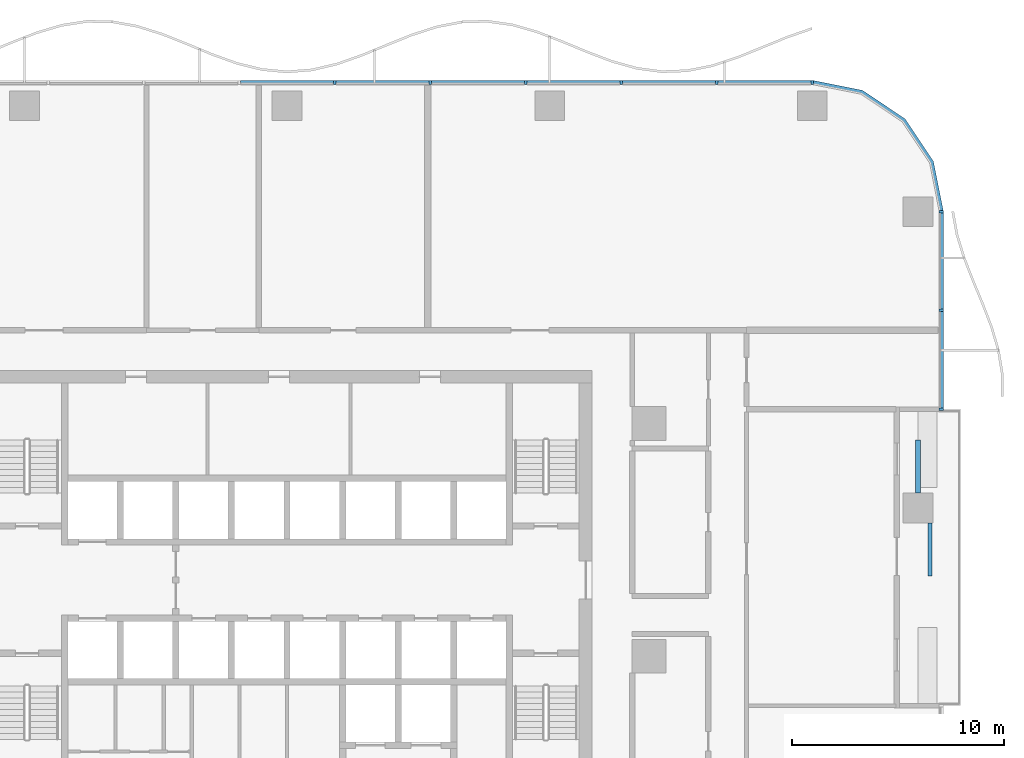
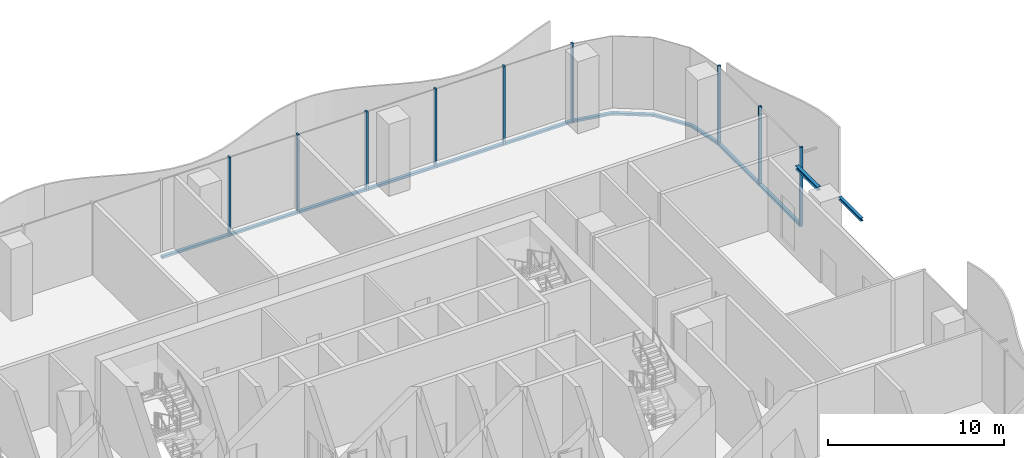
# One storey, part 5 of 21: 18 members, 2 beams, 3 elements without a shape of their own.
"""IFC4 building model written with IfcOpenShell, lengths in metres."""

from ifc_helpers import new_model, si_unit, direction, frame, origin, origin_2d, place, context, subcontext, project, spatial, polyline, rectangle, i_section, outline, extrude, material, material_profile, profile_set, type_object, element, aggregate, save


model = new_model("IFC4")

# Units and contexts
model_context = context("Model", 3, precision=1e-05, world=origin(), true_north=direction((0.0, 1.0)))
body_context = subcontext(model_context, "Body", "Model", "MODEL_VIEW")
ifc_project = project(units=[si_unit("LENGTHUNIT", "METRE"), si_unit("AREAUNIT", "SQUARE_METRE"), si_unit("VOLUMEUNIT", "CUBIC_METRE"), si_unit("PLANEANGLEUNIT", "RADIAN"), si_unit("MASSUNIT", "GRAM", prefix="KILO")], contexts=[model_context])

# Site, building, storey
site_placement = place(None, origin())
site = spatial("IfcSite", under=ifc_project, at=site_placement, CompositionType="ELEMENT")
building_placement = place(site_placement, origin())
building = spatial("IfcBuilding", under=site, at=building_placement, Name="Mopane Tessera Tower", CompositionType="ELEMENT")
storey_placement = place(building_placement, frame((0.0, 0.0, 20.0)))
storey = spatial("IfcBuildingStorey", under=building, at=storey_placement, Name="L03", CompositionType="ELEMENT", Elevation=20.0)

# Curtain wall, members
ifc_material_1 = material(Name="Aluminium frame", Category="aluminium")
curtain_wall_type = type_object("IfcCurtainWallType", Name="Podium unitised wall", PredefinedType="NOTDEFINED", material=ifc_material_1)
curtain_wall_1_placement = place(storey_placement, origin())
curtain_wall_1 = element("IfcCurtainWall", 1, at=curtain_wall_1_placement, inside=storey, type_object=curtain_wall_type, Name="e:cw:L03:E:7", PredefinedType="NOTDEFINED")
ifc_material_2 = material(Name="Aluminium frame", Category="aluminium")
ifc_material_profile_1 = material_profile(ifc_material_2, rectangle(XDim=0.125, YDim=0.199951171875, at=origin_2d()))
ifc_profile_set_1 = profile_set([ifc_material_profile_1], Name="Aluminium frame")
member_type_1 = type_object("IfcMemberType", Name="Aluminium mullion 125 x 200", PredefinedType="MULLION", material=ifc_profile_set_1)
member_1_placement = place(storey_placement, frame((30.89990234375, 11.666748046875, -0.5), z_axis=(0.0, 0.0, 1.0), x_axis=(0.0, 1.0, 0.0)))
member_1 = element("IfcMember", 2, at=member_1_placement, type_object=member_type_1, Name="e:cw:L03:E:7:mu7", PredefinedType="MULLION", context=body_context, shape_type="SweptSolid", body=[
    extrude(rectangle(XDim=0.125, YDim=0.199951171875, at=origin_2d()), origin(), (0.0, 0.0, 1.0), 5.5),
])
member_2_placement = place(storey_placement, frame((30.89990234375, 16.333251953125, -0.5), z_axis=(0.0, 0.0, 1.0), x_axis=(0.0, 1.0, 0.0)))
member_2 = element("IfcMember", 3, at=member_2_placement, type_object=member_type_1, Name="e:cw:L03:E:7:mu8", PredefinedType="MULLION", context=body_context, shape_type="SweptSolid", body=[
    extrude(rectangle(XDim=0.125, YDim=0.199951171875, at=origin_2d()), origin(), (0.0, 0.0, 1.0), 5.5),
])
member_3_placement = place(storey_placement, frame((30.89990234375, 21.0, -0.5), z_axis=(0.0, 0.0, 1.0), x_axis=(0.0, 1.0, 0.0)))
member_3 = element("IfcMember", 4, at=member_3_placement, type_object=member_type_1, Name="e:cw:L03:E:7:mu9", PredefinedType="MULLION", context=body_context, shape_type="SweptSolid", body=[
    extrude(rectangle(XDim=0.125, YDim=0.199951171875, at=origin_2d()), origin(), (0.0, 0.0, 1.0), 5.5),
])

curtain_wall_2_placement = place(storey_placement, origin())
curtain_wall_2 = element("IfcCurtainWall", 5, at=curtain_wall_2_placement, inside=storey, type_object=curtain_wall_type, Name="e:cw:L03:N:0", PredefinedType="NOTDEFINED")
member_4_placement = place(storey_placement, frame((24.800048828125, 27.10009765625, -0.5), z_axis=(0.0, 0.0, 1.0), x_axis=(-1.0, 0.0, 0.0)))
member_4 = element("IfcMember", 6, at=member_4_placement, type_object=member_type_1, Name="e:cw:L03:N:0:mu0", PredefinedType="MULLION", context=body_context, shape_type="SweptSolid", body=[
    extrude(rectangle(XDim=0.125, YDim=0.199951171875, at=origin_2d()), origin(), (0.0, 0.0, 1.0), 5.5),
])
member_5_placement = place(storey_placement, frame((20.291015625, 27.10009765625, -0.5), z_axis=(0.0, 0.0, 1.0), x_axis=(-1.0, 0.0, 0.0)))
member_5 = element("IfcMember", 7, at=member_5_placement, type_object=member_type_1, Name="e:cw:L03:N:0:mu1", PredefinedType="MULLION", context=body_context, shape_type="SweptSolid", body=[
    extrude(rectangle(XDim=0.125, YDim=0.199951171875, at=origin_2d()), origin(), (0.0, 0.0, 1.0), 5.5),
])
member_6_placement = place(storey_placement, frame((15.78173828125, 27.10009765625, -0.5), z_axis=(0.0, 0.0, 1.0), x_axis=(-1.0, 0.0, 0.0)))
member_6 = element("IfcMember", 8, at=member_6_placement, type_object=member_type_1, Name="e:cw:L03:N:0:mu2", PredefinedType="MULLION", context=body_context, shape_type="SweptSolid", body=[
    extrude(rectangle(XDim=0.125, YDim=0.199951171875, at=origin_2d()), origin(), (0.0, 0.0, 1.0), 5.5),
])
member_7_placement = place(storey_placement, frame((11.272705078125, 27.10009765625, -0.5), z_axis=(0.0, 0.0, 1.0), x_axis=(-1.0, 0.0, 0.0)))
member_7 = element("IfcMember", 9, at=member_7_placement, type_object=member_type_1, Name="e:cw:L03:N:0:mu3", PredefinedType="MULLION", context=body_context, shape_type="SweptSolid", body=[
    extrude(rectangle(XDim=0.125, YDim=0.199951171875, at=origin_2d()), origin(), (0.0, 0.0, 1.0), 5.5),
])
member_8_placement = place(storey_placement, frame((6.763671875, 27.10009765625, -0.5), z_axis=(0.0, 0.0, 1.0), x_axis=(-1.0, 0.0, 0.0)))
member_8 = element("IfcMember", 10, at=member_8_placement, type_object=member_type_1, Name="e:cw:L03:N:0:mu4", PredefinedType="MULLION", context=body_context, shape_type="SweptSolid", body=[
    extrude(rectangle(XDim=0.125, YDim=0.199951171875, at=origin_2d()), origin(), (0.0, 0.0, 1.0), 5.5),
])
member_9_placement = place(storey_placement, frame((2.254638671875, 27.10009765625, -0.5), z_axis=(0.0, 0.0, 1.0), x_axis=(-1.0, 0.0, 0.0)))
member_9 = element("IfcMember", 11, at=member_9_placement, type_object=member_type_1, Name="e:cw:L03:N:0:mu5", PredefinedType="MULLION", context=body_context, shape_type="SweptSolid", body=[
    extrude(rectangle(XDim=0.125, YDim=0.199951171875, at=origin_2d()), origin(), (0.0, 0.0, 1.0), 5.5),
])

# Member
ifc_material_3 = material(Name="Aluminium frame", Category="aluminium")
ifc_material_profile_2 = material_profile(ifc_material_3, rectangle(XDim=0.199951171875, YDim=0.159912109375, at=origin_2d()))
ifc_profile_set_2 = profile_set([ifc_material_profile_2], Name="Aluminium frame")
member_type_2 = type_object("IfcMemberType", Name="Aluminium transom 200 x 160", PredefinedType="USERDEFINED", material=ifc_profile_set_2)
member_10_placement = place(storey_placement, frame((30.89990234375, 11.729248046875, -0.419921875), z_axis=(0.0, 1.0, 0.0), x_axis=(-1.0, 0.0, 0.0)))
member_10 = element("IfcMember", 12, at=member_10_placement, type_object=member_type_2, Name="e:cw:L03:E:7:tr7", ObjectType="TRANSOM", PredefinedType="USERDEFINED", context=body_context, shape_type="SweptSolid", body=[
    extrude(rectangle(XDim=0.199951171875, YDim=0.159912109375, at=origin_2d()), origin(), (0.0, 0.0, 1.0), 4.54150390625),
])

member_11_placement = place(storey_placement, frame((30.89990234375, 16.395751953125, -0.419921875), z_axis=(0.0, 1.0, 0.0), x_axis=(-1.0, 0.0, 0.0)))
member_11 = element("IfcMember", 13, at=member_11_placement, type_object=member_type_2, Name="e:cw:L03:E:7:tr8", ObjectType="TRANSOM", PredefinedType="USERDEFINED", context=body_context, shape_type="SweptSolid", body=[
    extrude(rectangle(XDim=0.199951171875, YDim=0.159912109375, at=origin_2d()), origin(), (0.0, 0.0, 1.0), 4.541748046875),
])

aggregate(curtain_wall_1, [member_1, member_2, member_3, member_10, member_11])

# Curtain wall, member
curtain_wall_3_placement = place(storey_placement, origin())
curtain_wall_3 = element("IfcCurtainWall", 14, at=curtain_wall_3_placement, inside=storey, type_object=curtain_wall_type, Name="e:cw:L03:CE", PredefinedType="NOTDEFINED")
member_12_placement = place(storey_placement, frame((0.0, 0.0, -0.5)))
member_12 = element("IfcMember", 15, at=member_12_placement, type_object=member_type_2, Name="e:cw:L03:CE:tr", ObjectType="TRANSOM", PredefinedType="USERDEFINED", context=body_context, shape_type="SweptSolid", body=[
    extrude(outline(polyline([(30.800048828125, 21.0), (30.34326171875, 23.296142578125), (29.042724609375, 25.24267578125), (27.09619140625, 26.543212890625), (24.800048828125, 27.0), (24.800048828125, 27.199951171875), (27.172607421875, 26.72802734375), (29.18408203125, 25.384033203125), (30.528076171875, 23.37255859375), (31.0, 21.0), (30.800048828125, 21.0)])), origin(), (0.0, 0.0, 1.0), 0.159912109375),
])
aggregate(curtain_wall_3, [member_12])

# Member
member_13_placement = place(storey_placement, frame((24.737548828125, 27.10009765625, -0.419921875), z_axis=(-1.0, 0.0, 0.0), x_axis=(0.0, -1.0, 0.0)))
member_13 = element("IfcMember", 16, at=member_13_placement, type_object=member_type_2, Name="e:cw:L03:N:0:tr0", ObjectType="TRANSOM", PredefinedType="USERDEFINED", context=body_context, shape_type="SweptSolid", body=[
    extrude(rectangle(XDim=0.199951171875, YDim=0.159912109375, at=origin_2d()), origin(), (0.0, 0.0, 1.0), 4.384033203125),
])

member_14_placement = place(storey_placement, frame((20.228515625, 27.10009765625, -0.419921875), z_axis=(-1.0, 0.0, 0.0), x_axis=(0.0, -1.0, 0.0)))
member_14 = element("IfcMember", 17, at=member_14_placement, type_object=member_type_2, Name="e:cw:L03:N:0:tr1", ObjectType="TRANSOM", PredefinedType="USERDEFINED", context=body_context, shape_type="SweptSolid", body=[
    extrude(rectangle(XDim=0.199951171875, YDim=0.159912109375, at=origin_2d()), origin(), (0.0, 0.0, 1.0), 4.38427734375),
])

member_15_placement = place(storey_placement, frame((15.71923828125, 27.10009765625, -0.419921875), z_axis=(-1.0, 0.0, 0.0), x_axis=(0.0, -1.0, 0.0)))
member_15 = element("IfcMember", 18, at=member_15_placement, type_object=member_type_2, Name="e:cw:L03:N:0:tr2", ObjectType="TRANSOM", PredefinedType="USERDEFINED", context=body_context, shape_type="SweptSolid", body=[
    extrude(rectangle(XDim=0.199951171875, YDim=0.159912109375, at=origin_2d()), origin(), (0.0, 0.0, 1.0), 4.384033203125),
])

member_16_placement = place(storey_placement, frame((11.210205078125, 27.10009765625, -0.419921875), z_axis=(-1.0, 0.0, 0.0), x_axis=(0.0, -1.0, 0.0)))
member_16 = element("IfcMember", 19, at=member_16_placement, type_object=member_type_2, Name="e:cw:L03:N:0:tr3", ObjectType="TRANSOM", PredefinedType="USERDEFINED", context=body_context, shape_type="SweptSolid", body=[
    extrude(rectangle(XDim=0.199951171875, YDim=0.159912109375, at=origin_2d()), origin(), (0.0, 0.0, 1.0), 4.384033203125),
])

member_17_placement = place(storey_placement, frame((6.701171875, 27.10009765625, -0.419921875), z_axis=(-1.0, 0.0, 0.0), x_axis=(0.0, -1.0, 0.0)))
member_17 = element("IfcMember", 20, at=member_17_placement, type_object=member_type_2, Name="e:cw:L03:N:0:tr4", ObjectType="TRANSOM", PredefinedType="USERDEFINED", context=body_context, shape_type="SweptSolid", body=[
    extrude(rectangle(XDim=0.199951171875, YDim=0.159912109375, at=origin_2d()), origin(), (0.0, 0.0, 1.0), 4.384033203125),
])

member_18_placement = place(storey_placement, frame((2.192138671875, 27.10009765625, -0.419921875), z_axis=(-1.0, 0.0, 0.0), x_axis=(0.0, -1.0, 0.0)))
member_18 = element("IfcMember", 21, at=member_18_placement, type_object=member_type_2, Name="e:cw:L03:N:0:tr5", ObjectType="TRANSOM", PredefinedType="USERDEFINED", context=body_context, shape_type="SweptSolid", body=[
    extrude(rectangle(XDim=0.199951171875, YDim=0.159912109375, at=origin_2d()), origin(), (0.0, 0.0, 1.0), 4.38427734375),
])

aggregate(curtain_wall_2, [member_4, member_5, member_6, member_7, member_8, member_9, member_13, member_14, member_15, member_16, member_17, member_18])

# Beams
ifc_material_4 = material(Name="Structural steel S460", Category="steel")
ifc_material_profile_3 = material_profile(ifc_material_4, i_section(OverallWidth=0.239990234375, OverallDepth=0.239990234375, WebThickness=0.010009765625, FlangeThickness=0.01708984375, FilletRadius=0.02099609375, at=origin_2d()))
ifc_profile_set_3 = profile_set([ifc_material_profile_3], Name="Structural steel S460")
beam_type_1 = type_object("IfcBeamType", Name="Terrace spandrel beam HE 240 B", PredefinedType="SPANDREL", material=ifc_profile_set_3)
beam_1_placement = place(storey_placement, frame((29.800048828125, 7.702880859375, 4.8798828125), z_axis=(0.0, 1.0, 0.0), x_axis=(-1.0, 0.0, 0.0)))
element("IfcBeam", 22, at=beam_1_placement, inside=storey, type_object=beam_type_1, Name="Terrace spandrel beam N2 L04", PredefinedType="SPANDREL", context=body_context, shape_type="SweptSolid", body=[
    extrude(i_section(OverallWidth=0.239990234375, OverallDepth=0.239990234375, WebThickness=0.010009765625, FlangeThickness=0.01708984375, FilletRadius=0.02099609375, at=origin_2d()), origin(), (0.0, 0.0, 1.0), 2.5),
])
ifc_material_5 = material(Name="Structural steel S460", Category="steel")
ifc_material_profile_4 = material_profile(ifc_material_5, i_section(OverallWidth=0.199951171875, OverallDepth=0.199951171875, WebThickness=0.009033203125, FlangeThickness=0.014892578125, FilletRadius=0.01806640625, at=origin_2d()))
ifc_profile_set_4 = profile_set([ifc_material_profile_4], Name="Structural steel S460")
beam_type_2 = type_object("IfcBeamType", Name="Terrace trimmer beam HE 200 B", PredefinedType="BEAM", material=ifc_profile_set_4)
beam_2_placement = place(storey_placement, frame((30.360107421875, 6.297119140625, 4.89990234375), z_axis=(0.0, -1.0, 0.0), x_axis=(1.0, 0.0, 0.0)))
element("IfcBeam", 23, at=beam_2_placement, inside=storey, type_object=beam_type_2, Name="Terrace trimmer beam N2 L04", PredefinedType="BEAM", context=body_context, shape_type="SweptSolid", body=[
    extrude(i_section(OverallWidth=0.199951171875, OverallDepth=0.199951171875, WebThickness=0.009033203125, FlangeThickness=0.014892578125, FilletRadius=0.01806640625, at=origin_2d()), origin(), (0.0, 0.0, 1.0), 2.5),
])

save(model, "model.ifc")
